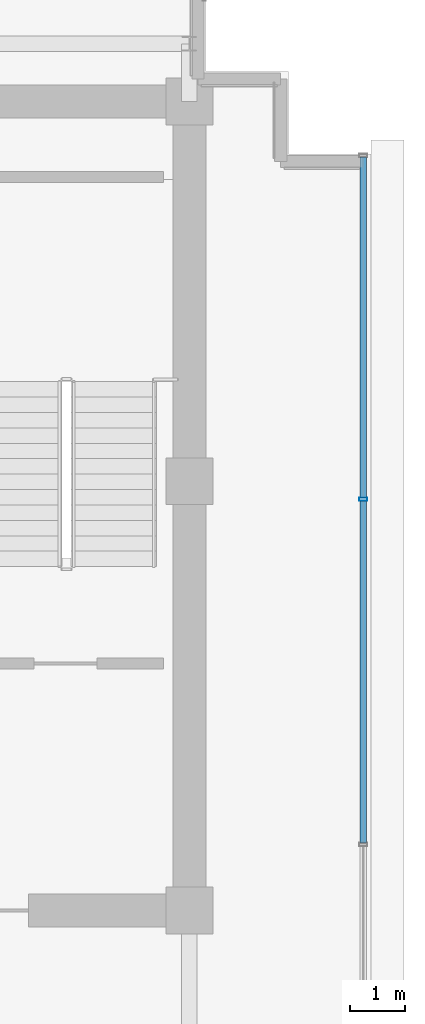
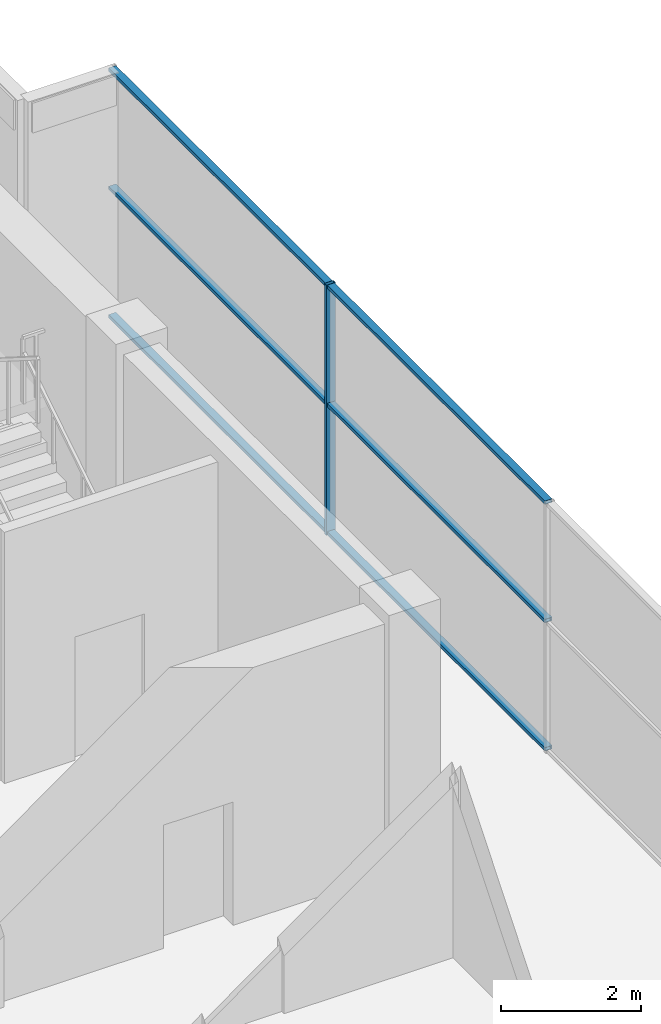
# One storey, part 21 of 27: 7 members, 1 element without a shape of its own.
"""IFC4 building model written with IfcOpenShell, lengths in metres."""

from ifc_helpers import new_model, si_unit, direction, frame, origin, origin_2d, place, context, subcontext, project, spatial, hollow_rectangle, extrude, source, transform, mapped, material, layer, layer_set, material_profile, profile_set, type_object, element, aggregate, save


model = new_model("IFC4")

# Units and contexts
model_context = context("Model", 3, precision=1e-05, world=origin(), true_north=direction((0.0, 1.0)))
body_context = subcontext(model_context, "Body", "Model", "MODEL_VIEW")
ifc_project = project(units=[si_unit("LENGTHUNIT", "METRE"), si_unit("AREAUNIT", "SQUARE_METRE"), si_unit("VOLUMEUNIT", "CUBIC_METRE"), si_unit("PLANEANGLEUNIT", "RADIAN"), si_unit("MASSUNIT", "GRAM", prefix="KILO")], contexts=[model_context])

# Site, building, storey
site_placement = place(None, origin())
site = spatial("IfcSite", under=ifc_project, at=site_placement, CompositionType="ELEMENT")
building_placement = place(site_placement, origin())
building = spatial("IfcBuilding", under=site, at=building_placement, Name="Zarnakvel Exchange Tower", CompositionType="ELEMENT")
storey_placement = place(building_placement, frame((0.0, 0.0, 294.60009765625)))
storey = spatial("IfcBuildingStorey", under=building, at=storey_placement, Name="Crown L82", CompositionType="ELEMENT", Elevation=294.60009765625)

# Curtain wall, members
ifc_material = material(Name="Architectural Bronze Anodised Aluminium", Category="aluminium")
ifc_layer = layer(ifc_material, 0.14990234375)
ifc_layer_set = layer_set([ifc_layer], Name="Architectural Bronze Anodised Aluminium")
curtain_wall_type = type_object("IfcCurtainWallType", Name="CW-07", PredefinedType="NOTDEFINED", material=ifc_layer_set)
curtain_wall_placement = place(storey_placement, origin())
curtain_wall = element("IfcCurtainWall", 1, at=curtain_wall_placement, inside=storey, type_object=curtain_wall_type, Name="Crown L82 Curtain Wall CW-Crown L82-E (CW-07)", PredefinedType="NOTDEFINED")
ifc_material_profile_1 = material_profile(ifc_material, hollow_rectangle(XDim=0.14990234375, YDim=0.06005859375, WallThickness=0.00390625, at=origin_2d()))
ifc_profile_set_1 = profile_set([ifc_material_profile_1], Name="Architectural Bronze Anodised Aluminium")
member_type_1 = type_object("IfcMemberType", Name="CWM-07", PredefinedType="MULLION", material=ifc_profile_set_1)
shared_shape_1 = source(origin(), body_context, "Body", "SweptSolid", [
    extrude(hollow_rectangle(XDim=0.14990234375, YDim=0.06005859375, WallThickness=0.00390625, at=origin_2d()), origin(), (0.0, 0.0, 1.0), 4.35986328125),
])
member_1_placement = place(storey_placement, frame((17.56005859375, 6.27490234375, 0.0), z_axis=(0.0, 0.0, 1.0), x_axis=(-1.0, 0.0, 0.0)))
member_1 = element("IfcMember", 2, at=member_1_placement, type_object=member_type_1, Name="CW-07 mullion 4", PredefinedType="MULLION", context=body_context, shape_type="MappedRepresentation", body=[
    mapped(shared_shape_1, transform((0.0, 0.0, 0.0), x_axis=(1.0, 0.0, 0.0), y_axis=(0.0, 1.0, 0.0), z_axis=(0.0, 0.0, 1.0), scale=1.0)),
])
ifc_material_profile_2 = material_profile(ifc_material, hollow_rectangle(XDim=0.1201171875, YDim=0.06005859375, WallThickness=0.00390625, at=origin_2d()))
ifc_profile_set_2 = profile_set([ifc_material_profile_2], Name="Architectural Bronze Anodised Aluminium")
member_type_2 = type_object("IfcMemberType", Name="CWT-07", PredefinedType="USERDEFINED", material=ifc_profile_set_2)
shared_shape_2 = source(origin(), body_context, "Body", "SweptSolid", [
    extrude(hollow_rectangle(XDim=0.1201171875, YDim=0.06005859375, WallThickness=0.00390625, at=origin_2d()), origin(), (0.0, 0.0, 1.0), 6.18505859375),
])
member_2_placement = place(storey_placement, frame((17.56005859375, 6.304931640625, 0.02978515625), z_axis=(0.0, 1.0, 0.0), x_axis=(-1.0, 0.0, 0.0)))
member_2 = element("IfcMember", 3, at=member_2_placement, type_object=member_type_2, Name="CW-07 transom 4.1", ObjectType="TRANSOM", PredefinedType="USERDEFINED", context=body_context, shape_type="MappedRepresentation", body=[
    mapped(shared_shape_2, transform((0.0, 0.0, 0.0), x_axis=(1.0, 0.0, 0.0), y_axis=(0.0, 1.0, 0.0), z_axis=(0.0, 0.0, 1.0), scale=1.0)),
])
member_3_placement = place(storey_placement, frame((17.56005859375, 6.304931640625, 2.26708984375), z_axis=(0.0, 1.0, 0.0), x_axis=(-1.0, 0.0, 0.0)))
member_3 = element("IfcMember", 4, at=member_3_placement, type_object=member_type_2, Name="CW-07 transom 4.2", ObjectType="TRANSOM", PredefinedType="USERDEFINED", context=body_context, shape_type="MappedRepresentation", body=[
    mapped(shared_shape_2, transform((0.0, 0.0, 0.0), x_axis=(1.0, 0.0, 0.0), y_axis=(0.0, 1.0, 0.0), z_axis=(0.0, 0.0, 1.0), scale=1.0)),
])
member_4_placement = place(storey_placement, frame((17.56005859375, 6.304931640625, 4.329833984375), z_axis=(0.0, 1.0, 0.0), x_axis=(-1.0, 0.0, 0.0)))
member_4 = element("IfcMember", 5, at=member_4_placement, type_object=member_type_2, Name="CW-07 transom 4.3", ObjectType="TRANSOM", PredefinedType="USERDEFINED", context=body_context, shape_type="MappedRepresentation", body=[
    mapped(shared_shape_2, transform((0.0, 0.0, 0.0), x_axis=(1.0, 0.0, 0.0), y_axis=(0.0, 1.0, 0.0), z_axis=(0.0, 0.0, 1.0), scale=1.0)),
])
shared_shape_3 = source(origin(), body_context, "Body", "SweptSolid", [
    extrude(hollow_rectangle(XDim=0.1201171875, YDim=0.06005859375, WallThickness=0.00390625, at=origin_2d()), origin(), (0.0, 0.0, 1.0), 6.215087890625),
])
member_5_placement = place(storey_placement, frame((17.56005859375, 0.030029296875, 0.02978515625), z_axis=(0.0, 1.0, 0.0), x_axis=(-1.0, 0.0, 0.0)))
member_5 = element("IfcMember", 6, at=member_5_placement, type_object=member_type_2, Name="CW-07 transom 3.1", ObjectType="TRANSOM", PredefinedType="USERDEFINED", context=body_context, shape_type="MappedRepresentation", body=[
    mapped(shared_shape_3, transform((0.0, 0.0, 0.0), x_axis=(1.0, 0.0, 0.0), y_axis=(0.0, 1.0, 0.0), z_axis=(0.0, 0.0, 1.0), scale=1.0)),
])
member_6_placement = place(storey_placement, frame((17.56005859375, 0.030029296875, 2.26708984375), z_axis=(0.0, 1.0, 0.0), x_axis=(-1.0, 0.0, 0.0)))
member_6 = element("IfcMember", 7, at=member_6_placement, type_object=member_type_2, Name="CW-07 transom 3.2", ObjectType="TRANSOM", PredefinedType="USERDEFINED", context=body_context, shape_type="MappedRepresentation", body=[
    mapped(shared_shape_3, transform((0.0, 0.0, 0.0), x_axis=(1.0, 0.0, 0.0), y_axis=(0.0, 1.0, 0.0), z_axis=(0.0, 0.0, 1.0), scale=1.0)),
])
member_7_placement = place(storey_placement, frame((17.56005859375, 0.030029296875, 4.329833984375), z_axis=(0.0, 1.0, 0.0), x_axis=(-1.0, 0.0, 0.0)))
member_7 = element("IfcMember", 8, at=member_7_placement, type_object=member_type_2, Name="CW-07 transom 3.3", ObjectType="TRANSOM", PredefinedType="USERDEFINED", context=body_context, shape_type="MappedRepresentation", body=[
    mapped(shared_shape_3, transform((0.0, 0.0, 0.0), x_axis=(1.0, 0.0, 0.0), y_axis=(0.0, 1.0, 0.0), z_axis=(0.0, 0.0, 1.0), scale=1.0)),
])
aggregate(curtain_wall, [member_1, member_5, member_6, member_7, member_2, member_3, member_4])

save(model, "model.ifc")
